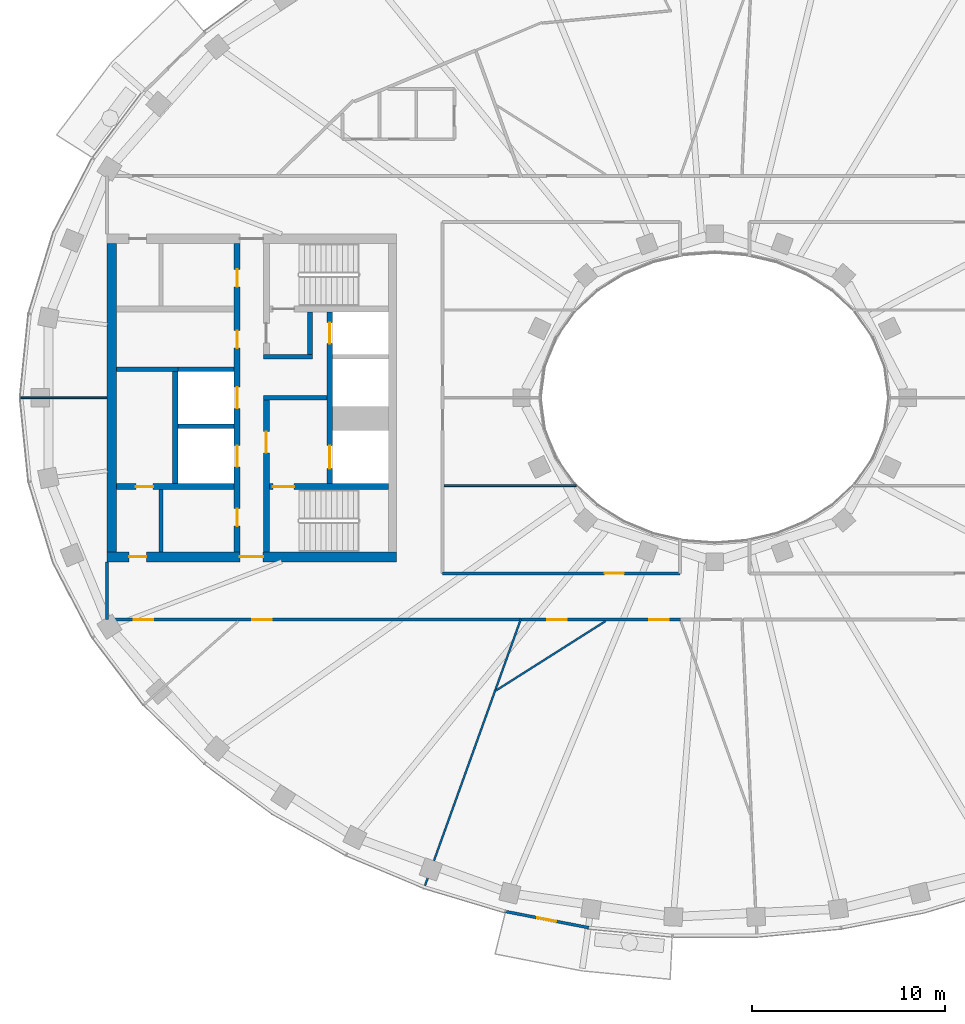
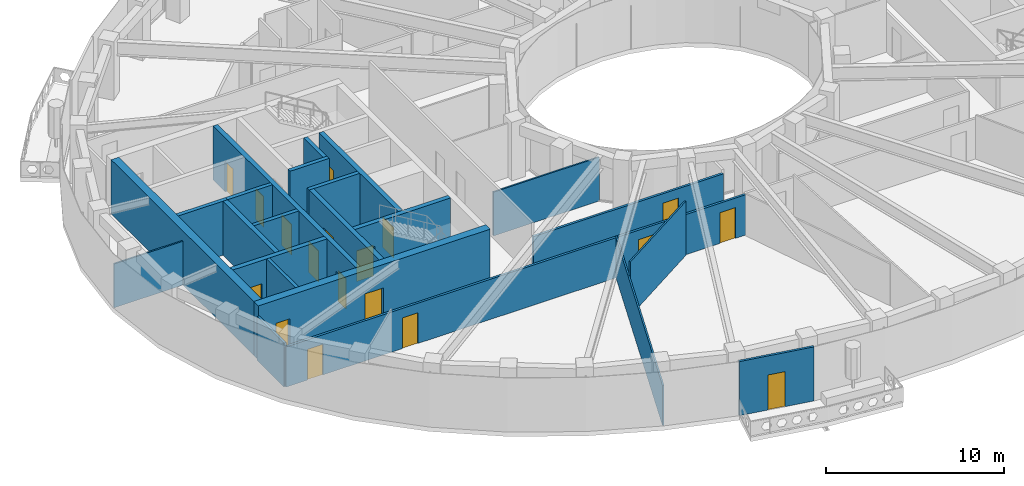
# One storey, part 3 of 16: 24 walls, 18 doors, 18 openings.
"""IFC4 building model written with IfcOpenShell, lengths in metres."""

from ifc_helpers import new_model, si_unit, direction, frame, frame_2d, origin, place, context, subcontext, project, spatial, rectangle, extrude, material, layer, layer_set, type_object, element, fill, save


model = new_model("IFC4")

# Units and contexts
model_context = context("Model", 3, precision=1e-05, world=origin(), true_north=direction((0.0, 1.0)))
body_context = subcontext(model_context, "Body", "Model", "MODEL_VIEW")
ifc_project = project(units=[si_unit("LENGTHUNIT", "METRE"), si_unit("AREAUNIT", "SQUARE_METRE"), si_unit("VOLUMEUNIT", "CUBIC_METRE"), si_unit("PLANEANGLEUNIT", "RADIAN"), si_unit("MASSUNIT", "GRAM", prefix="KILO")], contexts=[model_context])

# Site, building, storey
site_placement = place(None, origin())
site = spatial("IfcSite", under=ifc_project, at=site_placement, CompositionType="ELEMENT")
building_placement = place(site_placement, origin())
building = spatial("IfcBuilding", under=site, at=building_placement, Name="Noorbagh Ring Tower", CompositionType="ELEMENT")
storey_placement = place(building_placement, frame((0.0, 0.0, 303.0)))
storey = spatial("IfcBuildingStorey", under=building, at=storey_placement, Name="L65", CompositionType="ELEMENT", Elevation=303.0)

# Walls
ifc_material_1 = material(Name="Gypsum board on steel studs", Category="steel")
ifc_layer_1 = layer(ifc_material_1, 0.199951171875)
ifc_layer_set_1 = layer_set([ifc_layer_1], Name="Gypsum board on steel studs")
wall_type_1 = type_object("IfcWallType", Name="CORE-PARTITION-200", PredefinedType="PARTITIONING", material=ifc_layer_set_1)
wall_1_placement = place(storey_placement, frame((-28.699951171875, -8.0, 0.0), z_axis=(0.0, 0.0, 1.0), x_axis=(0.0, 1.0, 0.0)))
element("IfcWall", 1, at=wall_1_placement, inside=storey, type_object=wall_type_1, Name="Core partition W", PredefinedType="PARTITIONING", context=body_context, shape_type="SweptSolid", body=[
    extrude(rectangle(XDim=3.25, YDim=0.199951171875, at=frame_2d((1.625, 0.0))), origin(), (0.0, 0.0, 1.0), 3.699951171875),
])
ifc_material_2 = material(Name="Concrete C50/60", Category="concrete")
ifc_layer_2 = layer(ifc_material_2, 0.25)
ifc_layer_set_2 = layer_set([ifc_layer_2], Name="Concrete C50/60")
wall_type_2 = type_object("IfcWallType", Name="CORE-WALL-250-C50-60-EI120", PredefinedType="SHEAR", material=ifc_layer_set_2)
wall_2_placement = place(storey_placement, frame((-27.800048828125, 1.47509765625, 0.0), z_axis=(0.0, 0.0, 1.0), x_axis=(-1.0, 0.0, 0.0)))
element("IfcWall", 2, at=wall_2_placement, inside=storey, type_object=wall_type_2, Name="Core wall W", PredefinedType="SHEAR", context=body_context, shape_type="SweptSolid", body=[
    extrude(rectangle(XDim=3.199951171875, YDim=0.25, at=frame_2d((1.60009765625, 0.0))), origin(), (0.0, 0.0, 1.0), 3.699951171875),
])
for number, where, z_axis, x_axis, name in (
    (3, (-24.89990234375, -1.47509765625, 0.0), (0.0, 0.0, 1.0), (-1.0, 0.0, 0.0), "Core wall W"),
    (4, (-24.89990234375, 1.47509765625, 0.0), (0.0, 0.0, 1.0), (-1.0, 0.0, 0.0), "Core wall W"),
):
    element("IfcWall", number, at=place(storey_placement, frame(where, z_axis=z_axis, x_axis=x_axis)), inside=storey, type_object=wall_type_2, Name=name, PredefinedType="SHEAR", context=body_context, shape_type="SweptSolid", body=[
        extrude(rectangle(XDim=2.900146484375, YDim=0.25, at=frame_2d((1.4501953125, 0.0))), origin(), (0.0, 0.0, 1.0), 3.699951171875),
    ])
ifc_material_3 = material(Name="Concrete C50/60", Category="concrete")
ifc_layer_3 = layer(ifc_material_3, 0.25)
ifc_layer_set_3 = layer_set([ifc_layer_3], Name="Concrete C50/60")
wall_type_3 = type_object("IfcWallType", Name="CORE-WALL-250-C50-60-EI240", PredefinedType="SHEAR", material=ifc_layer_set_3)
wall_3_placement = place(storey_placement, frame((-20.10009765625, 0.0, 0.0), z_axis=(0.0, 0.0, 1.0), x_axis=(-1.0, 0.0, 0.0)))
element("IfcWall", 5, at=wall_3_placement, inside=storey, type_object=wall_type_3, Name="Core wall W", PredefinedType="SHEAR", context=body_context, shape_type="SweptSolid", body=[
    extrude(rectangle(XDim=3.27978515625, YDim=0.25, at=frame_2d((1.639892578125, 0.0))), origin(), (0.0, 0.0, 1.0), 3.699951171875),
])
wall_4_placement = place(storey_placement, frame((-20.85009765625, 2.125, 0.0), z_axis=(0.0, 0.0, 1.0), x_axis=(-1.0, 0.0, 0.0)))
element("IfcWall", 6, at=wall_4_placement, inside=storey, type_object=wall_type_3, Name="Core wall W", PredefinedType="SHEAR", context=body_context, shape_type="SweptSolid", body=[
    extrude(rectangle(XDim=2.52978515625, YDim=0.25, at=frame_2d((1.264892578125, 0.0))), origin(), (0.0, 0.0, 1.0), 3.699951171875),
])
wall_5_placement = place(storey_placement, frame((-20.97509765625, 2.25, 0.0), z_axis=(0.0, 0.0, 1.0), x_axis=(0.0, 1.0, 0.0)))
element("IfcWall", 7, at=wall_5_placement, inside=storey, type_object=wall_type_3, Name="Core wall W", PredefinedType="SHEAR", context=body_context, shape_type="SweptSolid", body=[
    extrude(rectangle(XDim=2.199951171875, YDim=0.25, at=frame_2d((1.10009765625, 0.0))), origin(), (0.0, 0.0, 1.0), 3.699951171875),
])
ifc_material_4 = material(Name="Concrete C50/60", Category="concrete")
ifc_layer_4 = layer(ifc_material_4, 0.300048828125)
ifc_layer_set_4 = layer_set([ifc_layer_4], Name="Concrete C50/60")
wall_type_4 = type_object("IfcWallType", Name="CORE-WALL-300-C50-60-EI120", PredefinedType="SHEAR", material=ifc_layer_set_4)
wall_6_placement = place(storey_placement, frame((-27.949951171875, -4.449951171875, 0.0), z_axis=(0.0, 0.0, 1.0), x_axis=(0.0, 1.0, 0.0)))
element("IfcWall", 8, at=wall_6_placement, inside=storey, type_object=wall_type_4, Name="Core wall W", PredefinedType="SHEAR", context=body_context, shape_type="SweptSolid", body=[
    extrude(rectangle(XDim=5.800048828125, YDim=0.300048828125, at=frame_2d((2.89990234375, 0.0))), origin(), (0.0, 0.0, 1.0), 3.699951171875),
])

# Wall, openings, doors
wall_7_placement = place(storey_placement, frame((-19.949951171875, -4.449951171875, 0.0), z_axis=(0.0, 0.0, 1.0), x_axis=(0.0, 1.0, 0.0)))
wall_7 = element("IfcWall", 9, at=wall_7_placement, inside=storey, type_object=wall_type_4, Name="Core wall W", PredefinedType="SHEAR", context=body_context, shape_type="SweptSolid", body=[
    extrude(rectangle(XDim=8.89990234375, YDim=0.300048828125, at=frame_2d((4.449951171875, 0.0))), origin(), (0.0, 0.0, 1.0), 3.699951171875),
])
opening_1_placement = place(wall_7_placement, frame((0.77490234375, 0.0, 0.0)))
opening_1 = element("IfcOpeningElement", 10, at=opening_1_placement, cuts=wall_7, Name="Opening L65-CW01", PredefinedType="OPENING", context=body_context, shape_type="SweptSolid", body=[
    extrude(rectangle(XDim=1.199951171875, YDim=2.10009765625, at=frame_2d((0.60009765625, 1.050048828125))), frame((0.0, 0.16015625, 0.0), z_axis=(0.0, -1.0, 0.0), x_axis=(1.0, 0.0, 0.0)), (0.0, 0.0, 1.0), 0.320068359375),
])
opening_2_placement = place(wall_7_placement, frame((7.25, 0.0, 0.0)))
opening_2 = element("IfcOpeningElement", 11, at=opening_2_placement, cuts=wall_7, Name="Opening L65-CW02", PredefinedType="OPENING", context=body_context, shape_type="SweptSolid", body=[
    extrude(rectangle(XDim=1.10009765625, YDim=2.10009765625, at=frame_2d((0.550048828125, 1.050048828125))), frame((0.0, 0.16015625, 0.0), z_axis=(0.0, -1.0, 0.0), x_axis=(1.0, 0.0, 0.0)), (0.0, 0.0, 1.0), 0.320068359375),
])
ifc_material_5 = material(Name="Steel door leaf", Category="steel")
door_type_1 = type_object("IfcDoorType", Name="CORE-DOOR-LD", OperationType="DOUBLE_DOOR_SLIDING", PredefinedType="DOOR", material=ifc_material_5)
door_1_placement = place(opening_2_placement, origin())
door_1 = element("IfcDoor", 12, at=door_1_placement, inside=storey, type_object=door_type_1, Name="Landing door HR1 L65-CW02", OperationType="DOUBLE_DOOR_SLIDING", OverallHeight=2.10009765625, OverallWidth=1.10009765625, PredefinedType="DOOR", context=body_context, shape_type="SweptSolid", body=[
    extrude(rectangle(XDim=1.10009765625, YDim=2.10009765625, at=frame_2d((0.550048828125, 1.050048828125))), frame((0.0, 0.02490234375, 0.0), z_axis=(0.0, -1.0, 0.0), x_axis=(1.0, 0.0, 0.0)), (0.0, 0.0, 1.0), 0.050048828125),
])
fill(opening_2, door_1)
ifc_material_6 = material(Name="Steel door leaf", Category="steel")
door_type_2 = type_object("IfcDoorType", Name="CORE-DOOR-LDW", OperationType="DOUBLE_DOOR_SLIDING", PredefinedType="DOOR", material=ifc_material_6)
door_2_placement = place(opening_1_placement, origin())
door_2 = element("IfcDoor", 13, at=door_2_placement, inside=storey, type_object=door_type_2, Name="Landing door FF1 L65-CW01", OperationType="DOUBLE_DOOR_SLIDING", OverallHeight=2.10009765625, OverallWidth=1.199951171875, PredefinedType="DOOR", context=body_context, shape_type="SweptSolid", body=[
    extrude(rectangle(XDim=1.199951171875, YDim=2.10009765625, at=frame_2d((0.60009765625, 1.050048828125))), frame((0.0, 0.02490234375, 0.0), z_axis=(0.0, -1.0, 0.0), x_axis=(1.0, 0.0, 0.0)), (0.0, 0.0, 1.0), 0.050048828125),
])
fill(opening_1, door_2)

wall_8_placement = place(storey_placement, frame((-24.75, -8.0, 0.0), z_axis=(0.0, 0.0, 1.0), x_axis=(0.0, 1.0, 0.0)))
wall_8 = element("IfcWall", 14, at=wall_8_placement, inside=storey, type_object=wall_type_4, Name="Core wall W", PredefinedType="SHEAR", context=body_context, shape_type="SweptSolid", body=[
    extrude(rectangle(XDim=16.0, YDim=0.300048828125, at=frame_2d((8.0, 0.0))), origin(), (0.0, 0.0, 1.0), 3.699951171875),
])
opening_3_placement = place(wall_8_placement, frame((4.425048828125, 0.0, 0.0)))
opening_3 = element("IfcOpeningElement", 15, at=opening_3_placement, cuts=wall_8, Name="Opening L65-CW03", PredefinedType="OPENING", context=body_context, shape_type="SweptSolid", body=[
    extrude(rectangle(XDim=1.10009765625, YDim=2.10009765625, at=frame_2d((0.550048828125, 1.050048828125))), frame((0.0, 0.16015625, 0.0), z_axis=(0.0, -1.0, 0.0), x_axis=(1.0, 0.0, 0.0)), (0.0, 0.0, 1.0), 0.320068359375),
])
opening_4_placement = place(wall_8_placement, frame((7.449951171875, 0.0, 0.0)))
opening_4 = element("IfcOpeningElement", 16, at=opening_4_placement, cuts=wall_8, Name="Opening L65-CW04", PredefinedType="OPENING", context=body_context, shape_type="SweptSolid", body=[
    extrude(rectangle(XDim=1.10009765625, YDim=2.10009765625, at=frame_2d((0.550048828125, 1.050048828125))), frame((0.0, 0.16015625, 0.0), z_axis=(0.0, -1.0, 0.0), x_axis=(1.0, 0.0, 0.0)), (0.0, 0.0, 1.0), 0.320068359375),
])
opening_5_placement = place(wall_8_placement, frame((10.574951171875, 0.0, 0.0)))
opening_5 = element("IfcOpeningElement", 17, at=opening_5_placement, cuts=wall_8, Name="Opening L65-CW11", PredefinedType="OPENING", context=body_context, shape_type="SweptSolid", body=[
    extrude(rectangle(XDim=0.89990234375, YDim=2.10009765625, at=frame_2d((0.449951171875, 1.050048828125))), frame((0.0, 0.16015625, 0.0), z_axis=(0.0, -1.0, 0.0), x_axis=(1.0, 0.0, 0.0)), (0.0, 0.0, 1.0), 0.320068359375),
])
opening_6_placement = place(wall_8_placement, frame((13.75, 0.0, 0.0)))
opening_6 = element("IfcOpeningElement", 18, at=opening_6_placement, cuts=wall_8, Name="Opening L65-CW12", PredefinedType="OPENING", context=body_context, shape_type="SweptSolid", body=[
    extrude(rectangle(XDim=0.89990234375, YDim=2.10009765625, at=frame_2d((0.449951171875, 1.050048828125))), frame((0.0, 0.16015625, 0.0), z_axis=(0.0, -1.0, 0.0), x_axis=(1.0, 0.0, 0.0)), (0.0, 0.0, 1.0), 0.320068359375),
])
opening_7_placement = place(wall_8_placement, frame((1.35009765625, 0.0, 0.0)))
opening_7 = element("IfcOpeningElement", 19, at=opening_7_placement, cuts=wall_8, Name="Opening L65-CW14", PredefinedType="OPENING", context=body_context, shape_type="SweptSolid", body=[
    extrude(rectangle(XDim=0.89990234375, YDim=2.10009765625, at=frame_2d((0.449951171875, 1.050048828125))), frame((0.0, 0.16015625, 0.0), z_axis=(0.0, -1.0, 0.0), x_axis=(1.0, 0.0, 0.0)), (0.0, 0.0, 1.0), 0.320068359375),
])
ifc_material_7 = material(Name="Steel door leaf", Category="steel")
door_type_3 = type_object("IfcDoorType", Name="CORE-DOOR-DROOM", OperationType="SINGLE_SWING_LEFT", PredefinedType="DOOR", material=ifc_material_7)
door_3_placement = place(opening_5_placement, origin())
door_3 = element("IfcDoor", 20, at=door_3_placement, inside=storey, type_object=door_type_3, Name="Core room door L65-CW11", OperationType="SINGLE_SWING_RIGHT", OverallHeight=2.10009765625, OverallWidth=0.89990234375, PredefinedType="DOOR", context=body_context, shape_type="SweptSolid", body=[
    extrude(rectangle(XDim=0.89990234375, YDim=2.10009765625, at=frame_2d((0.449951171875, 1.050048828125))), frame((0.0, 0.02490234375, 0.0), z_axis=(0.0, -1.0, 0.0), x_axis=(1.0, 0.0, 0.0)), (0.0, 0.0, 1.0), 0.050048828125),
])
fill(opening_5, door_3)
door_4_placement = place(opening_6_placement, origin())
door_4 = element("IfcDoor", 21, at=door_4_placement, inside=storey, type_object=door_type_3, Name="Core room door L65-CW12", OperationType="SINGLE_SWING_RIGHT", OverallHeight=2.10009765625, OverallWidth=0.89990234375, PredefinedType="DOOR", context=body_context, shape_type="SweptSolid", body=[
    extrude(rectangle(XDim=0.89990234375, YDim=2.10009765625, at=frame_2d((0.449951171875, 1.050048828125))), frame((0.0, 0.02490234375, 0.0), z_axis=(0.0, -1.0, 0.0), x_axis=(1.0, 0.0, 0.0)), (0.0, 0.0, 1.0), 0.050048828125),
])
fill(opening_6, door_4)
door_5_placement = place(opening_7_placement, origin())
door_5 = element("IfcDoor", 22, at=door_5_placement, inside=storey, type_object=door_type_3, Name="Core room door L65-CW14", OperationType="SINGLE_SWING_LEFT", OverallHeight=2.10009765625, OverallWidth=0.89990234375, PredefinedType="DOOR", context=body_context, shape_type="SweptSolid", body=[
    extrude(rectangle(XDim=0.89990234375, YDim=2.10009765625, at=frame_2d((0.449951171875, 1.050048828125))), frame((0.0, 0.02490234375, 0.0), z_axis=(0.0, -1.0, 0.0), x_axis=(1.0, 0.0, 0.0)), (0.0, 0.0, 1.0), 0.050048828125),
])
fill(opening_7, door_5)
door_6_placement = place(opening_3_placement, origin())
door_6 = element("IfcDoor", 23, at=door_6_placement, inside=storey, type_object=door_type_1, Name="Landing door HR5 L65-CW03", OperationType="DOUBLE_DOOR_SLIDING", OverallHeight=2.10009765625, OverallWidth=1.10009765625, PredefinedType="DOOR", context=body_context, shape_type="SweptSolid", body=[
    extrude(rectangle(XDim=1.10009765625, YDim=2.10009765625, at=frame_2d((0.550048828125, 1.050048828125))), frame((0.0, 0.02490234375, 0.0), z_axis=(0.0, -1.0, 0.0), x_axis=(1.0, 0.0, 0.0)), (0.0, 0.0, 1.0), 0.050048828125),
])
fill(opening_3, door_6)
door_7_placement = place(opening_4_placement, origin())
door_7 = element("IfcDoor", 24, at=door_7_placement, inside=storey, type_object=door_type_1, Name="Landing door HR6 L65-CW04", OperationType="DOUBLE_DOOR_SLIDING", OverallHeight=2.10009765625, OverallWidth=1.10009765625, PredefinedType="DOOR", context=body_context, shape_type="SweptSolid", body=[
    extrude(rectangle(XDim=1.10009765625, YDim=2.10009765625, at=frame_2d((0.550048828125, 1.050048828125))), frame((0.0, 0.02490234375, 0.0), z_axis=(0.0, -1.0, 0.0), x_axis=(1.0, 0.0, 0.0)), (0.0, 0.0, 1.0), 0.050048828125),
])
fill(opening_4, door_7)

# Wall, opening, door
ifc_material_8 = material(Name="Concrete C50/60", Category="concrete")
ifc_layer_5 = layer(ifc_material_8, 0.300048828125)
ifc_layer_set_5 = layer_set([ifc_layer_5], Name="Concrete C50/60")
wall_type_5 = type_object("IfcWallType", Name="CORE-WALL-300-C50-60-EI240", PredefinedType="SHEAR", material=ifc_layer_set_5)
wall_9_placement = place(storey_placement, frame((-24.89990234375, -4.60009765625, 0.0), z_axis=(0.0, 0.0, 1.0), x_axis=(-1.0, 0.0, 0.0)))
wall_9 = element("IfcWall", 25, at=wall_9_placement, inside=storey, type_object=wall_type_5, Name="Core wall W", PredefinedType="SHEAR", context=body_context, shape_type="SweptSolid", body=[
    extrude(rectangle(XDim=6.10009765625, YDim=0.300048828125, at=frame_2d((3.050048828125, 0.0))), origin(), (0.0, 0.0, 1.0), 3.699951171875),
])
opening_8_placement = place(wall_9_placement, frame((4.199951171875, 0.0, 0.0)))
opening_8 = element("IfcOpeningElement", 26, at=opening_8_placement, cuts=wall_9, Name="Opening L65-CW16", PredefinedType="OPENING", context=body_context, shape_type="SweptSolid", body=[
    extrude(rectangle(XDim=0.89990234375, YDim=2.10009765625, at=frame_2d((0.449951171875, 1.050048828125))), frame((0.0, 0.16015625, 0.0), z_axis=(0.0, -1.0, 0.0), x_axis=(1.0, 0.0, 0.0)), (0.0, 0.0, 1.0), 0.320068359375),
])
door_8_placement = place(opening_8_placement, origin())
door_8 = element("IfcDoor", 27, at=door_8_placement, inside=storey, type_object=door_type_3, Name="Core room door L65-CW16", OperationType="SINGLE_SWING_RIGHT", OverallHeight=2.10009765625, OverallWidth=0.89990234375, PredefinedType="DOOR", context=body_context, shape_type="SweptSolid", body=[
    extrude(rectangle(XDim=0.89990234375, YDim=2.10009765625, at=frame_2d((0.449951171875, 1.050048828125))), frame((0.0, 0.02490234375, 0.0), z_axis=(0.0, -1.0, 0.0), x_axis=(1.0, 0.0, 0.0)), (0.0, 0.0, 1.0), 0.050048828125),
])
fill(opening_8, door_8)

wall_10_placement = place(storey_placement, frame((-23.22998046875, -8.0, 0.0), z_axis=(0.0, 0.0, 1.0), x_axis=(0.0, 1.0, 0.0)))
wall_10 = element("IfcWall", 28, at=wall_10_placement, inside=storey, type_object=wall_type_5, Name="Core wall W", PredefinedType="SHEAR", context=body_context, shape_type="SweptSolid", body=[
    extrude(rectangle(XDim=7.875, YDim=0.300048828125, at=frame_2d((3.9375, 0.0))), origin(), (0.0, 0.0, 1.0), 3.699951171875),
])
opening_9_placement = place(wall_10_placement, frame((5.14990234375, 0.0, 0.0)))
opening_9 = element("IfcOpeningElement", 29, at=opening_9_placement, cuts=wall_10, Name="Opening L65-CW07", PredefinedType="OPENING", context=body_context, shape_type="SweptSolid", body=[
    extrude(rectangle(XDim=1.10009765625, YDim=2.10009765625, at=frame_2d((0.550048828125, 1.050048828125))), frame((0.0, 0.16015625, 0.0), z_axis=(0.0, -1.0, 0.0), x_axis=(1.0, 0.0, 0.0)), (0.0, 0.0, 1.0), 0.320068359375),
])
ifc_material_9 = material(Name="Steel door leaf", Category="steel")
door_type_4 = type_object("IfcDoorType", Name="CORE-DOOR-DFF", OperationType="SINGLE_SWING_LEFT", PredefinedType="DOOR", material=ifc_material_9)
door_9_placement = place(opening_9_placement, origin())
door_9 = element("IfcDoor", 30, at=door_9_placement, inside=storey, type_object=door_type_4, Name="Firefighting lobby door L65-CW07", OperationType="SINGLE_SWING_LEFT", OverallHeight=2.10009765625, OverallWidth=1.10009765625, PredefinedType="DOOR", context=body_context, shape_type="SweptSolid", body=[
    extrude(rectangle(XDim=1.10009765625, YDim=2.10009765625, at=frame_2d((0.550048828125, 1.050048828125))), frame((0.0, 0.02490234375, 0.0), z_axis=(0.0, -1.0, 0.0), x_axis=(1.0, 0.0, 0.0)), (0.0, 0.0, 1.0), 0.050048828125),
])
fill(opening_9, door_9)

wall_11_placement = place(storey_placement, frame((-16.89990234375, -4.60009765625, 0.0), z_axis=(0.0, 0.0, 1.0), x_axis=(-1.0, 0.0, 0.0)))
wall_11 = element("IfcWall", 31, at=wall_11_placement, inside=storey, type_object=wall_type_5, Name="Core wall W", PredefinedType="SHEAR", context=body_context, shape_type="SweptSolid", body=[
    extrude(rectangle(XDim=6.18017578125, YDim=0.300048828125, at=frame_2d((3.090087890625, 0.0))), origin(), (0.0, 0.0, 1.0), 3.699951171875),
])
opening_10_placement = place(wall_11_placement, frame((4.89990234375, 0.0, 0.0)))
opening_10 = element("IfcOpeningElement", 32, at=opening_10_placement, cuts=wall_11, Name="Opening L65-CW06", PredefinedType="OPENING", context=body_context, shape_type="SweptSolid", body=[
    extrude(rectangle(XDim=1.10009765625, YDim=2.10009765625, at=frame_2d((0.550048828125, 1.050048828125))), frame((0.0, 0.16015625, 0.0), z_axis=(0.0, -1.0, 0.0), x_axis=(1.0, 0.0, 0.0)), (0.0, 0.0, 1.0), 0.320068359375),
])
ifc_material_10 = material(Name="Steel door leaf", Category="steel")
door_type_5 = type_object("IfcDoorType", Name="CORE-DOOR-DSTAIR", OperationType="SINGLE_SWING_LEFT", PredefinedType="DOOR", material=ifc_material_10)
door_10_placement = place(opening_10_placement, origin())
door_10 = element("IfcDoor", 33, at=door_10_placement, inside=storey, type_object=door_type_5, Name="Stair door ST2 L65-CW06", OperationType="SINGLE_SWING_LEFT", OverallHeight=2.10009765625, OverallWidth=1.10009765625, PredefinedType="DOOR", context=body_context, shape_type="SweptSolid", body=[
    extrude(rectangle(XDim=1.10009765625, YDim=2.10009765625, at=frame_2d((0.550048828125, 1.050048828125))), frame((0.0, 0.02490234375, 0.0), z_axis=(0.0, -1.0, 0.0), x_axis=(1.0, 0.0, 0.0)), (0.0, 0.0, 1.0), 0.050048828125),
])
fill(opening_10, door_10)

# Wall, openings, doors
ifc_material_11 = material(Name="Concrete C50/60", Category="concrete")
ifc_layer_6 = layer(ifc_material_11, 0.5)
ifc_layer_set_6 = layer_set([ifc_layer_6], Name="Concrete C50/60")
wall_type_6 = type_object("IfcWallType", Name="CORE-WALL-500-C50-60-EI240", PredefinedType="SHEAR", material=ifc_layer_set_6)
wall_12_placement = place(storey_placement, frame((-16.5, -8.25, 0.0), z_axis=(0.0, 0.0, 1.0), x_axis=(-1.0, 0.0, 0.0)))
wall_12 = element("IfcWall", 34, at=wall_12_placement, inside=storey, type_object=wall_type_6, Name="Core wall W", PredefinedType="SHEAR", context=body_context, shape_type="SweptSolid", body=[
    extrude(rectangle(XDim=15.0, YDim=0.5, at=frame_2d((7.5, 0.0))), origin(), (0.0, 0.0, 1.0), 3.699951171875),
])
opening_11_placement = place(wall_12_placement, frame((6.89990234375, 0.0, 0.0)))
opening_11 = element("IfcOpeningElement", 35, at=opening_11_placement, cuts=wall_12, Name="Opening L65-CW10", PredefinedType="OPENING", context=body_context, shape_type="SweptSolid", body=[
    extrude(rectangle(XDim=1.199951171875, YDim=2.10009765625, at=frame_2d((0.60009765625, 1.050048828125))), frame((0.0, 0.260009765625, 0.0), z_axis=(0.0, -1.0, 0.0), x_axis=(1.0, 0.0, 0.0)), (0.0, 0.0, 1.0), 0.52001953125),
])
opening_12_placement = place(wall_12_placement, frame((12.949951171875, 0.0, 0.0)))
opening_12 = element("IfcOpeningElement", 36, at=opening_12_placement, cuts=wall_12, Name="Opening L65-CW15", PredefinedType="OPENING", context=body_context, shape_type="SweptSolid", body=[
    extrude(rectangle(XDim=0.89990234375, YDim=2.10009765625, at=frame_2d((0.449951171875, 1.050048828125))), frame((0.0, 0.260009765625, 0.0), z_axis=(0.0, -1.0, 0.0), x_axis=(1.0, 0.0, 0.0)), (0.0, 0.0, 1.0), 0.52001953125),
])
door_11_placement = place(opening_12_placement, origin())
door_11 = element("IfcDoor", 37, at=door_11_placement, inside=storey, type_object=door_type_3, Name="Core room door L65-CW15", OperationType="SINGLE_SWING_LEFT", OverallHeight=2.10009765625, OverallWidth=0.89990234375, PredefinedType="DOOR", context=body_context, shape_type="SweptSolid", body=[
    extrude(rectangle(XDim=0.89990234375, YDim=2.10009765625, at=frame_2d((0.449951171875, 1.050048828125))), frame((0.0, 0.02490234375, 0.0), z_axis=(0.0, -1.0, 0.0), x_axis=(1.0, 0.0, 0.0)), (0.0, 0.0, 1.0), 0.050048828125),
])
fill(opening_12, door_11)
ifc_material_12 = material(Name="Steel door leaf", Category="steel")
door_type_6 = type_object("IfcDoorType", Name="CORE-DOOR-PORT", OperationType="DOUBLE_DOOR_DOUBLE_SWING", PredefinedType="DOOR", material=ifc_material_12)
door_12_placement = place(opening_11_placement, origin())
door_12 = element("IfcDoor", 38, at=door_12_placement, inside=storey, type_object=door_type_6, Name="Core entrance door L65-CW10", OperationType="DOUBLE_DOOR_DOUBLE_SWING", OverallHeight=2.10009765625, OverallWidth=1.199951171875, PredefinedType="DOOR", context=body_context, shape_type="SweptSolid", body=[
    extrude(rectangle(XDim=1.199951171875, YDim=2.10009765625, at=frame_2d((0.60009765625, 1.050048828125))), frame((0.0, 0.02490234375, 0.0), z_axis=(0.0, -1.0, 0.0), x_axis=(1.0, 0.0, 0.0)), (0.0, 0.0, 1.0), 0.050048828125),
])
fill(opening_11, door_12)

# Walls
wall_13_placement = place(storey_placement, frame((-31.25, -8.0, 0.0), z_axis=(0.0, 0.0, 1.0), x_axis=(0.0, 1.0, 0.0)))
element("IfcWall", 39, at=wall_13_placement, inside=storey, type_object=wall_type_6, Name="Core wall W", PredefinedType="SHEAR", context=body_context, shape_type="SweptSolid", body=[
    extrude(rectangle(XDim=16.0, YDim=0.5, at=frame_2d((8.0, 0.0))), origin(), (0.0, 0.0, 1.0), 3.699951171875),
])
ifc_material_13 = material(Name="Gypsum board on steel studs", Category="steel")
ifc_layer_7 = layer(ifc_material_13, 0.14990234375)
ifc_layer_set_7 = layer_set([ifc_layer_7], Name="Gypsum board on steel studs")
wall_type_7 = type_object("IfcWallType", Name="CORRIDOR PARTITION 150 EI 30", PredefinedType="PARTITIONING", material=ifc_layer_set_7)
wall_14_placement = place(storey_placement, frame((-31.5, -11.5, 0.0), z_axis=(0.0, 0.0, 1.0), x_axis=(0.0, 1.0, 0.0)))
element("IfcWall", 40, at=wall_14_placement, inside=storey, type_object=wall_type_7, Name="L65/wall/P02", PredefinedType="PARTITIONING", context=body_context, shape_type="SweptSolid", body=[
    extrude(rectangle(XDim=3.0, YDim=0.14990234375, at=frame_2d((1.5, 0.0))), origin(), (0.0, 0.0, 1.0), 3.0),
])

# Wall, openings, doors
wall_15_placement = place(storey_placement, frame((-31.5, -11.5, 0.0), z_axis=(0.0, 0.0, 1.0), x_axis=(1.0, 0.0, 0.0)))
wall_15 = element("IfcWall", 41, at=wall_15_placement, inside=storey, type_object=wall_type_7, Name="L65/wall/P03", PredefinedType="PARTITIONING", context=body_context, shape_type="SweptSolid", body=[
    extrude(rectangle(XDim=21.431884765625, YDim=0.14990234375, at=frame_2d((10.7158203125, 0.0))), origin(), (0.0, 0.0, 1.0), 2.75),
])
opening_13_placement = place(wall_15_placement, frame((1.39990234375, 0.0, 0.0)))
opening_13 = element("IfcOpeningElement", 42, at=opening_13_placement, cuts=wall_15, Name="Opening D1", PredefinedType="OPENING", context=body_context, shape_type="SweptSolid", body=[
    extrude(rectangle(XDim=1.0, YDim=2.10009765625, at=frame_2d((0.5, 1.050048828125))), frame((0.0, 0.0849609375, 0.0), z_axis=(0.0, -1.0, 0.0), x_axis=(1.0, 0.0, 0.0)), (0.0, 0.0, 1.0), 0.169921875),
])
opening_14_placement = place(wall_15_placement, frame((7.5439453125, 0.0, 0.0)))
opening_14 = element("IfcOpeningElement", 43, at=opening_14_placement, cuts=wall_15, Name="Opening D1", PredefinedType="OPENING", context=body_context, shape_type="SweptSolid", body=[
    extrude(rectangle(XDim=1.0, YDim=2.10009765625, at=frame_2d((0.5, 1.050048828125))), frame((0.0, 0.0849609375, 0.0), z_axis=(0.0, -1.0, 0.0), x_axis=(1.0, 0.0, 0.0)), (0.0, 0.0, 1.0), 0.169921875),
])
ifc_material_14 = material(Name="Timber, painted", Category="wood")
door_type_7 = type_object("IfcDoorType", Name="DOOR 1000 X 2100 FD30", OperationType="SINGLE_SWING_LEFT", PredefinedType="DOOR", material=ifc_material_14)
door_13_placement = place(opening_13_placement, origin())
door_13 = element("IfcDoor", 44, at=door_13_placement, inside=storey, type_object=door_type_7, Name="L65-D05", OperationType="SINGLE_SWING_LEFT", OverallHeight=2.10009765625, OverallWidth=1.0, PredefinedType="DOOR", context=body_context, shape_type="SweptSolid", body=[
    extrude(rectangle(XDim=1.0, YDim=2.10009765625, at=frame_2d((0.5, 1.050048828125))), frame((0.0, 0.02490234375, 0.0), z_axis=(0.0, -1.0, 0.0), x_axis=(1.0, 0.0, 0.0)), (0.0, 0.0, 1.0), 0.050048828125),
])
fill(opening_13, door_13)
door_14_placement = place(opening_14_placement, origin())
door_14 = element("IfcDoor", 45, at=door_14_placement, inside=storey, type_object=door_type_7, Name="L65-D07", OperationType="SINGLE_SWING_LEFT", OverallHeight=2.10009765625, OverallWidth=1.0, PredefinedType="DOOR", context=body_context, shape_type="SweptSolid", body=[
    extrude(rectangle(XDim=1.0, YDim=2.10009765625, at=frame_2d((0.5, 1.050048828125))), frame((0.0, 0.02490234375, 0.0), z_axis=(0.0, -1.0, 0.0), x_axis=(1.0, 0.0, 0.0)), (0.0, 0.0, 1.0), 0.050048828125),
])
fill(opening_14, door_14)

# Wall, opening, door
wall_16_placement = place(storey_placement, frame((-14.10009765625, -9.10009765625, 0.0), z_axis=(0.0, 0.0, 1.0), x_axis=(1.0, 0.0, 0.0)))
wall_16 = element("IfcWall", 46, at=wall_16_placement, inside=storey, type_object=wall_type_7, Name="L65/wall/P16", PredefinedType="PARTITIONING", context=body_context, shape_type="SweptSolid", body=[
    extrude(rectangle(XDim=12.300048828125, YDim=0.14990234375, at=frame_2d((6.14990234375, 0.0))), origin(), (0.0, 0.0, 1.0), 2.75),
])
opening_15_placement = place(wall_16_placement, frame((8.39990234375, 0.0, 0.0)))
opening_15 = element("IfcOpeningElement", 47, at=opening_15_placement, cuts=wall_16, Name="Opening D1", PredefinedType="OPENING", context=body_context, shape_type="SweptSolid", body=[
    extrude(rectangle(XDim=1.0, YDim=2.10009765625, at=frame_2d((0.5, 1.050048828125))), frame((0.0, 0.0849609375, 0.0), z_axis=(0.0, -1.0, 0.0), x_axis=(1.0, 0.0, 0.0)), (0.0, 0.0, 1.0), 0.169921875),
])
door_15_placement = place(opening_15_placement, origin())
door_15 = element("IfcDoor", 48, at=door_15_placement, inside=storey, type_object=door_type_7, Name="L65-D21", OperationType="SINGLE_SWING_LEFT", OverallHeight=2.10009765625, OverallWidth=1.0, PredefinedType="DOOR", context=body_context, shape_type="SweptSolid", body=[
    extrude(rectangle(XDim=1.0, YDim=2.10009765625, at=frame_2d((0.5, 1.050048828125))), frame((0.0, 0.02490234375, 0.0), z_axis=(0.0, -1.0, 0.0), x_axis=(1.0, 0.0, 0.0)), (0.0, 0.0, 1.0), 0.050048828125),
])
fill(opening_15, door_15)

# Wall, openings, doors
wall_17_placement = place(storey_placement, frame((-10.0029296875, -11.5, 0.0), z_axis=(0.0, 0.0, 1.0), x_axis=(1.0, 0.0, 0.0)))
wall_17 = element("IfcWall", 49, at=wall_17_placement, inside=storey, type_object=wall_type_7, Name="L65/wall/P26", PredefinedType="PARTITIONING", context=body_context, shape_type="SweptSolid", body=[
    extrude(rectangle(XDim=8.27099609375, YDim=0.14990234375, at=frame_2d((4.135498046875, 0.0))), origin(), (0.0, 0.0, 1.0), 2.75),
])
opening_16_placement = place(wall_17_placement, frame((6.610107421875, 0.0, 0.0)))
opening_16 = element("IfcOpeningElement", 50, at=opening_16_placement, cuts=wall_17, Name="Opening D1", PredefinedType="OPENING", context=body_context, shape_type="SweptSolid", body=[
    extrude(rectangle(XDim=1.0, YDim=2.10009765625, at=frame_2d((0.5, 1.050048828125))), frame((0.0, 0.0849609375, 0.0), z_axis=(0.0, -1.0, 0.0), x_axis=(1.0, 0.0, 0.0)), (0.0, 0.0, 1.0), 0.169921875),
])
opening_17_placement = place(wall_17_placement, frame((1.3349609375, 0.0, 0.0)))
opening_17 = element("IfcOpeningElement", 51, at=opening_17_placement, cuts=wall_17, Name="Opening D1", PredefinedType="OPENING", context=body_context, shape_type="SweptSolid", body=[
    extrude(rectangle(XDim=1.0, YDim=2.10009765625, at=frame_2d((0.5, 1.050048828125))), frame((0.0, 0.0849609375, 0.0), z_axis=(0.0, -1.0, 0.0), x_axis=(1.0, 0.0, 0.0)), (0.0, 0.0, 1.0), 0.169921875),
])
door_16_placement = place(opening_16_placement, origin())
door_16 = element("IfcDoor", 52, at=door_16_placement, inside=storey, type_object=door_type_7, Name="L65-D08", OperationType="SINGLE_SWING_RIGHT", OverallHeight=2.10009765625, OverallWidth=1.0, PredefinedType="DOOR", context=body_context, shape_type="SweptSolid", body=[
    extrude(rectangle(XDim=1.0, YDim=2.10009765625, at=frame_2d((0.5, 1.050048828125))), frame((0.0, 0.02490234375, 0.0), z_axis=(0.0, -1.0, 0.0), x_axis=(1.0, 0.0, 0.0)), (0.0, 0.0, 1.0), 0.050048828125),
])
fill(opening_16, door_16)
door_17_placement = place(opening_17_placement, origin())
door_17 = element("IfcDoor", 53, at=door_17_placement, inside=storey, type_object=door_type_7, Name="L65-D10", OperationType="SINGLE_SWING_LEFT", OverallHeight=2.10009765625, OverallWidth=1.0, PredefinedType="DOOR", context=body_context, shape_type="SweptSolid", body=[
    extrude(rectangle(XDim=1.0, YDim=2.10009765625, at=frame_2d((0.5, 1.050048828125))), frame((0.0, 0.02490234375, 0.0), z_axis=(0.0, -1.0, 0.0), x_axis=(1.0, 0.0, 0.0)), (0.0, 0.0, 1.0), 0.050048828125),
])
fill(opening_17, door_17)

# Wall, opening, door
ifc_material_15 = material(Name="Insulated aluminium clad panel", Category="aluminium")
ifc_layer_8 = layer(ifc_material_15, 0.14990234375)
ifc_layer_set_8 = layer_set([ifc_layer_8], Name="Insulated aluminium clad panel")
wall_type_8 = type_object("IfcWallType", Name="ENV-WALL-DOOR", PredefinedType="STANDARD", material=ifc_layer_set_8)
wall_18_placement = place(storey_placement, frame((-10.87060546875, -26.616943359375, 0.0), z_axis=(0.0, 0.0, 1.0), x_axis=(0.981631174778, -0.190788460615, 0.0)))
wall_18 = element("IfcWall", 54, at=wall_18_placement, inside=storey, type_object=wall_type_8, Name="Balcony door wall chord 33", PredefinedType="STANDARD", context=body_context, shape_type="SweptSolid", body=[
    extrude(rectangle(XDim=4.42626953125, YDim=0.14990234375, at=frame_2d((2.213134765625, 0.0))), origin(), (0.0, 0.0, 1.0), 3.699951171875),
])
opening_18_placement = place(wall_18_placement, frame((1.713134765625, 0.0, 0.0)))
opening_18 = element("IfcOpeningElement", 55, at=opening_18_placement, cuts=wall_18, Name="Opening D-BL", PredefinedType="OPENING", context=body_context, shape_type="SweptSolid", body=[
    extrude(rectangle(XDim=1.0, YDim=2.39990234375, at=frame_2d((0.5, 1.199951171875))), frame((0.0, 0.0849609375, 0.0), z_axis=(0.0, -1.0, 0.0), x_axis=(1.0, 0.0, 0.0)), (0.0, 0.0, 1.0), 0.169921875),
])
ifc_material_16 = material(Name="Aluminium and glass", Category="aluminium")
door_type_8 = type_object("IfcDoorType", Name="ENV-DOOR-BALCONY", OperationType="SINGLE_SWING_LEFT", PredefinedType="DOOR", material=ifc_material_16)
door_18_placement = place(opening_18_placement, origin())
door_18 = element("IfcDoor", 56, at=door_18_placement, inside=storey, type_object=door_type_8, Name="Balcony door chord 33", OperationType="SINGLE_SWING_RIGHT", OverallHeight=2.39990234375, OverallWidth=1.0, PredefinedType="DOOR", context=body_context, shape_type="SweptSolid", body=[
    extrude(rectangle(XDim=1.0, YDim=2.39990234375, at=frame_2d((0.5, 1.199951171875))), frame((0.0, 0.02490234375, 0.0), z_axis=(0.0, -1.0, 0.0), x_axis=(1.0, 0.0, 0.0)), (0.0, 0.0, 1.0), 0.050048828125),
])
fill(opening_18, door_18)

# Walls
ifc_material_17 = material(Name="Gypsum board on steel studs", Category="steel")
ifc_layer_9 = layer(ifc_material_17, 0.10009765625)
ifc_layer_set_9 = layer_set([ifc_layer_9], Name="Gypsum board on steel studs")
wall_type_9 = type_object("IfcWallType", Name="PARTITION 100 GYPSUM", PredefinedType="PARTITIONING", material=ifc_layer_set_9)
wall_19_placement = place(storey_placement, frame((-35.948974609375, 0.0, 0.0), z_axis=(0.0, 0.0, 1.0), x_axis=(1.0, 0.0, 0.0)))
element("IfcWall", 57, at=wall_19_placement, inside=storey, type_object=wall_type_9, Name="L65/wall/P01", PredefinedType="PARTITIONING", context=body_context, shape_type="SweptSolid", body=[
    extrude(rectangle(XDim=4.448974609375, YDim=0.10009765625, at=frame_2d((2.224609375, 0.0))), origin(), (0.0, 0.0, 1.0), 3.0),
])
wall_20_placement = place(storey_placement, frame((-15.049072265625, -25.383056640625, 0.0), z_axis=(0.0, 0.0, 1.0), x_axis=(0.338454781071, 0.94098265721, 0.0)))
element("IfcWall", 58, at=wall_20_placement, inside=storey, type_object=wall_type_9, Name="L65/wall/P14", PredefinedType="PARTITIONING", context=body_context, shape_type="SweptSolid", body=[
    extrude(rectangle(XDim=14.829345703125, YDim=0.10009765625, at=frame_2d((7.41455078125, 0.0))), origin(), (0.0, 0.0, 1.0), 2.75),
])
wall_21_placement = place(storey_placement, frame((-14.02490234375, -4.550048828125, 0.0), z_axis=(0.0, 0.0, 1.0), x_axis=(1.0, 0.0, 0.0)))
element("IfcWall", 59, at=wall_21_placement, inside=storey, type_object=wall_type_9, Name="L65/wall/P17", PredefinedType="PARTITIONING", context=body_context, shape_type="SweptSolid", body=[
    extrude(rectangle(XDim=6.850830078125, YDim=0.10009765625, at=frame_2d((3.42529296875, 0.0))), origin(), (0.0, 0.0, 1.0), 3.0),
])
wall_22_placement = place(storey_placement, frame((-11.319091796875, -15.160888671875, 0.0), z_axis=(0.0, 0.0, 1.0), x_axis=(0.844865171483, 0.534979291203, 0.0)))
element("IfcWall", 60, at=wall_22_placement, inside=storey, type_object=wall_type_9, Name="L65/wall/P24", PredefinedType="PARTITIONING", context=body_context, shape_type="SweptSolid", body=[
    extrude(rectangle(XDim=6.702880859375, YDim=0.10009765625, at=frame_2d((3.3515625, 0.0))), origin(), (0.0, 0.0, 1.0), 3.699951171875),
])

save(model, "model.ifc")
